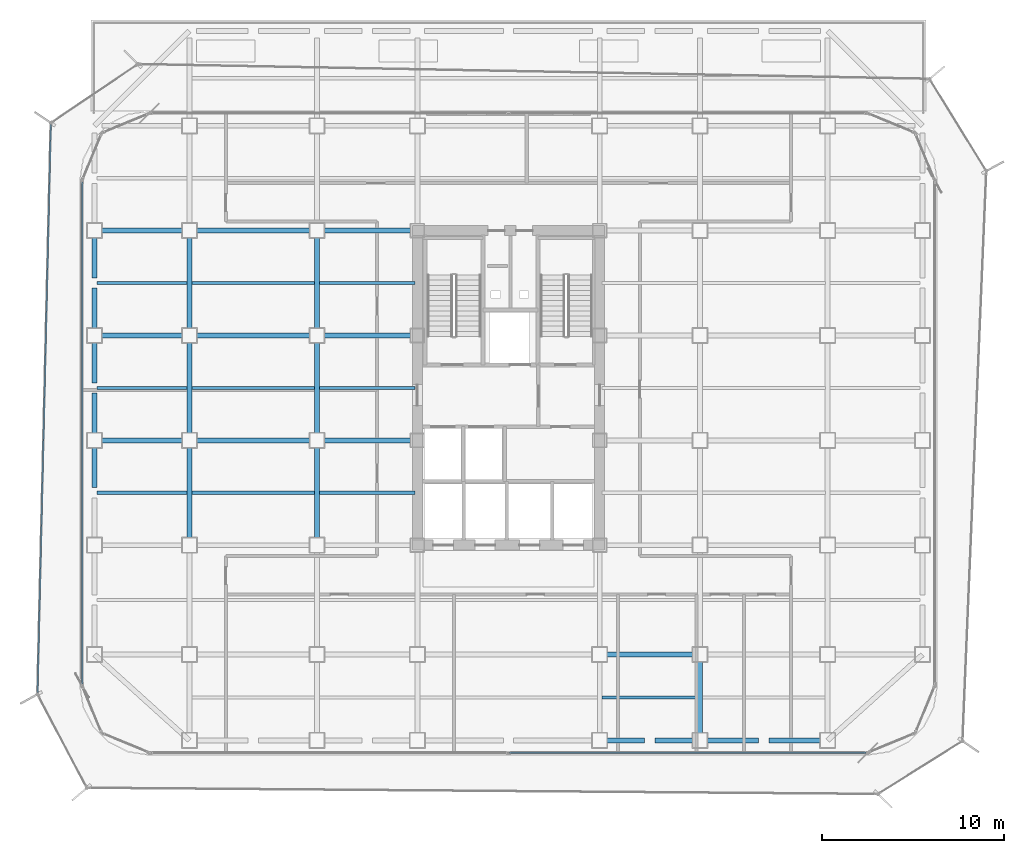
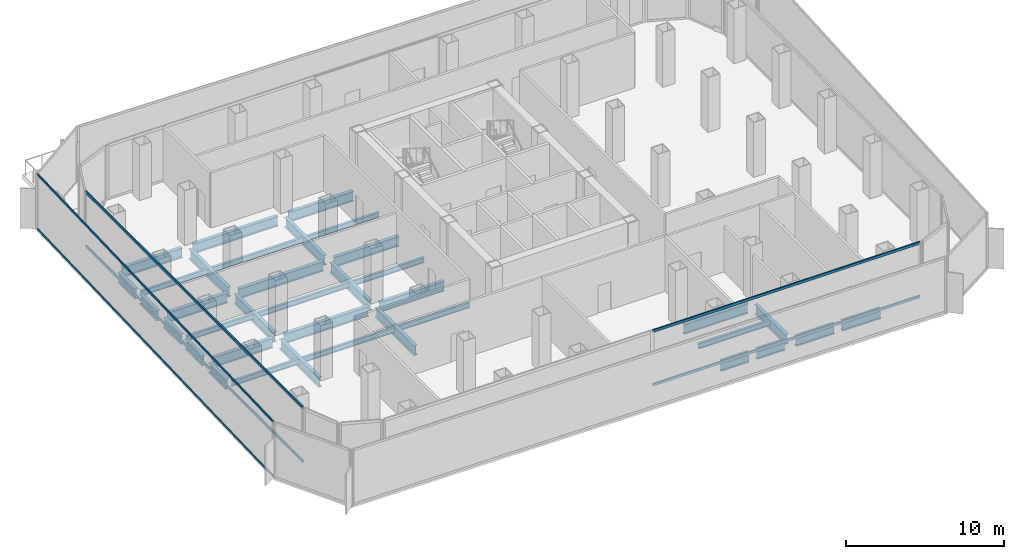
# One storey, part 5 of 21: 36 beams, 6 members, 3 elements without a shape of their own.
"""IFC4 building model written with IfcOpenShell, lengths in metres."""

from ifc_helpers import new_model, si_unit, direction, frame, origin, origin_2d, place, context, subcontext, project, spatial, hollow_rectangle, i_section, extrude, source, transform, mapped, material, layer, layer_set, material_profile, profile_set, type_object, element, aggregate, save


model = new_model("IFC4")

# Units and contexts
model_context = context("Model", 3, precision=1e-05, world=origin(), true_north=direction((0.0, 1.0)))
body_context = subcontext(model_context, "Body", "Model", "MODEL_VIEW")
ifc_project = project(units=[si_unit("LENGTHUNIT", "METRE"), si_unit("AREAUNIT", "SQUARE_METRE"), si_unit("VOLUMEUNIT", "CUBIC_METRE"), si_unit("PLANEANGLEUNIT", "RADIAN"), si_unit("MASSUNIT", "GRAM", prefix="KILO")], contexts=[model_context])

# Site, building, storey
site_placement = place(None, origin())
site = spatial("IfcSite", under=ifc_project, at=site_placement, CompositionType="ELEMENT")
building_placement = place(site_placement, origin())
building = spatial("IfcBuilding", under=site, at=building_placement, Name="Kolveth Station Tower", CompositionType="ELEMENT")
storey_placement = place(building_placement, frame((0.0, 0.0, 88.199951171875)))
storey = spatial("IfcBuildingStorey", under=building, at=storey_placement, Name="L23", CompositionType="ELEMENT", Elevation=88.199951171875)

# Beams
ifc_material_1 = material(Name="Steel S355", Category="steel")
ifc_material_profile_1 = material_profile(ifc_material_1, i_section(OverallWidth=0.26904296875, OverallDepth=0.77490234375, WebThickness=0.01708984375, FlangeThickness=0.0283203125, at=origin_2d()), Name="W760x220")
ifc_profile_set_1 = profile_set([ifc_material_profile_1], Name="Steel S355")
beam_type_1 = type_object("IfcBeamType", Name="Beam_SP1", PredefinedType="SPANDREL", material=ifc_profile_set_1)
shared_shape_1 = source(origin(), body_context, "Body", "SweptSolid", [
    extrude(i_section(OverallWidth=0.26904296875, OverallDepth=0.77490234375, WebThickness=0.01708984375, FlangeThickness=0.0283203125, at=origin_2d()), origin(), (0.0, 0.0, 1.0), 2.820068359375),
])
for number, where, z_axis, x_axis, name in (
    (1, (34.39990234375, 0.800048828125, -0.74755859375), (1.0, 0.0, 0.0), (0.0, 1.0, 0.0), "L23 Perimeter Spandrel BM-L23-PS-9"),
    (2, (37.780029296875, 0.800048828125, -0.74755859375), (1.0, 0.0, 0.0), (0.0, 1.0, 0.0), "L23 Perimeter Spandrel BM-L23-PS-10"),
):
    element("IfcBeam", number, at=place(storey_placement, frame(where, z_axis=z_axis, x_axis=x_axis)), inside=storey, type_object=beam_type_1, Name=name, PredefinedType="SPANDREL", context=body_context, shape_type="MappedRepresentation", body=[
        mapped(shared_shape_1, transform((0.0, 0.0, 0.0), x_axis=(1.0, 0.0, 0.0), y_axis=(0.0, 1.0, 0.0), z_axis=(0.0, 0.0, 1.0), scale=1.0)),
    ])
shared_shape_2 = source(origin(), body_context, "Body", "SweptSolid", [
    extrude(i_section(OverallWidth=0.26904296875, OverallDepth=0.77490234375, WebThickness=0.01708984375, FlangeThickness=0.0283203125, at=origin_2d()), origin(), (0.0, 0.0, 1.0), 2.070068359375),
])
for number, where, z_axis, x_axis, name in (
    (3, (28.89990234375, 0.800048828125, -0.74755859375), (1.0, 0.0, 0.0), (0.0, 1.0, 0.0), "L23 Perimeter Spandrel BM-L23-PS-7"),
    (4, (31.530029296875, 0.800048828125, -0.74755859375), (1.0, 0.0, 0.0), (0.0, 1.0, 0.0), "L23 Perimeter Spandrel BM-L23-PS-8"),
):
    element("IfcBeam", number, at=place(storey_placement, frame(where, z_axis=z_axis, x_axis=x_axis)), inside=storey, type_object=beam_type_1, Name=name, PredefinedType="SPANDREL", context=body_context, shape_type="MappedRepresentation", body=[
        mapped(shared_shape_2, transform((0.0, 0.0, 0.0), x_axis=(1.0, 0.0, 0.0), y_axis=(0.0, 1.0, 0.0), z_axis=(0.0, 0.0, 1.0), scale=1.0)),
    ])
shared_shape_3 = source(origin(), body_context, "Body", "SweptSolid", [
    extrude(i_section(OverallWidth=0.26904296875, OverallDepth=0.77490234375, WebThickness=0.01708984375, FlangeThickness=0.0283203125, at=origin_2d()), origin(), (0.0, 0.0, 1.0), 2.2001953125),
])
for number, where, z_axis, x_axis, name in (
    (5, (0.800048828125, 20.39990234375, -0.74755859375), (0.0, 1.0, 0.0), (-1.0, 0.0, 0.0), "L23 Perimeter Spandrel BM-L23-PW-6"),
    (6, (0.800048828125, 23.39990234375, -0.74755859375), (0.0, 1.0, 0.0), (-1.0, 0.0, 0.0), "L23 Perimeter Spandrel BM-L23-PW-7"),
):
    element("IfcBeam", number, at=place(storey_placement, frame(where, z_axis=z_axis, x_axis=x_axis)), inside=storey, type_object=beam_type_1, Name=name, PredefinedType="SPANDREL", context=body_context, shape_type="MappedRepresentation", body=[
        mapped(shared_shape_3, transform((0.0, 0.0, 0.0), x_axis=(1.0, 0.0, 0.0), y_axis=(0.0, 1.0, 0.0), z_axis=(0.0, 0.0, 1.0), scale=1.0)),
    ])
shared_shape_4 = source(origin(), body_context, "Body", "SweptSolid", [
    extrude(i_section(OverallWidth=0.26904296875, OverallDepth=0.77490234375, WebThickness=0.01708984375, FlangeThickness=0.0283203125, at=origin_2d()), origin(), (0.0, 0.0, 1.0), 2.190185546875),
])
for number, where, z_axis, x_axis, name in (
    (7, (0.800048828125, 14.659912109375, -0.74755859375), (0.0, 1.0, 0.0), (-1.0, 0.0, 0.0), "L23 Perimeter Spandrel BM-L23-PW-4"),
    (8, (0.800048828125, 17.64990234375, -0.74755859375), (0.0, 1.0, 0.0), (-1.0, 0.0, 0.0), "L23 Perimeter Spandrel BM-L23-PW-5"),
    (9, (0.800048828125, 26.159912109375, -0.74755859375), (0.0, 1.0, 0.0), (-1.0, 0.0, 0.0), "L23 Perimeter Spandrel BM-L23-PW-8"),
):
    element("IfcBeam", number, at=place(storey_placement, frame(where, z_axis=z_axis, x_axis=x_axis)), inside=storey, type_object=beam_type_1, Name=name, PredefinedType="SPANDREL", context=body_context, shape_type="MappedRepresentation", body=[
        mapped(shared_shape_4, transform((0.0, 0.0, 0.0), x_axis=(1.0, 0.0, 0.0), y_axis=(0.0, 1.0, 0.0), z_axis=(0.0, 0.0, 1.0), scale=1.0)),
    ])
ifc_material_profile_2 = material_profile(ifc_material_1, i_section(OverallWidth=0.26708984375, OverallDepth=0.76611328125, WebThickness=0.014892578125, FlangeThickness=0.023681640625, at=origin_2d()), Name="W760x185")
ifc_profile_set_2 = profile_set([ifc_material_profile_2], Name="Steel S355")
beam_type_2 = type_object("IfcBeamType", Name="Beam_B3", PredefinedType="BEAM", material=ifc_profile_set_2)
shared_shape_5 = source(origin(), body_context, "Body", "SweptSolid", [
    extrude(i_section(OverallWidth=0.26708984375, OverallDepth=0.76611328125, WebThickness=0.014892578125, FlangeThickness=0.023681640625, at=origin_2d()), origin(), (0.0, 0.0, 1.0), 4.400146484375),
])
for number, where, z_axis, x_axis, name in (
    (10, (1.199951171875, 17.25, -0.742919921875), (1.0, 0.0, 0.0), (0.0, 1.0, 0.0), "L23 Primary Girder BM-L23-GY172-1"),
    (11, (1.199951171875, 23.0, -0.742919921875), (1.0, 0.0, 0.0), (0.0, 1.0, 0.0), "L23 Primary Girder BM-L23-GY230-1"),
    (12, (1.199951171875, 28.75, -0.742919921875), (1.0, 0.0, 0.0), (0.0, 1.0, 0.0), "L23 Primary Girder BM-L23-GY287-1"),
):
    element("IfcBeam", number, at=place(storey_placement, frame(where, z_axis=z_axis, x_axis=x_axis)), inside=storey, type_object=beam_type_2, Name=name, PredefinedType="BEAM", context=body_context, shape_type="MappedRepresentation", body=[
        mapped(shared_shape_5, transform((0.0, 0.0, 0.0), x_axis=(1.0, 0.0, 0.0), y_axis=(0.0, 1.0, 0.0), z_axis=(0.0, 0.0, 1.0), scale=1.0)),
    ])
shared_shape_6 = source(origin(), body_context, "Body", "SweptSolid", [
    extrude(i_section(OverallWidth=0.26708984375, OverallDepth=0.76611328125, WebThickness=0.014892578125, FlangeThickness=0.023681640625, at=origin_2d()), origin(), (0.0, 0.0, 1.0), 6.2001953125),
])
for number, where, z_axis, x_axis, name in (
    (13, (6.39990234375, 17.25, -0.742919921875), (1.0, 0.0, 0.0), (0.0, 1.0, 0.0), "L23 Primary Girder BM-L23-GY172-2"),
    (14, (6.39990234375, 23.0, -0.742919921875), (1.0, 0.0, 0.0), (0.0, 1.0, 0.0), "L23 Primary Girder BM-L23-GY230-2"),
    (15, (6.39990234375, 28.75, -0.742919921875), (1.0, 0.0, 0.0), (0.0, 1.0, 0.0), "L23 Primary Girder BM-L23-GY287-2"),
):
    element("IfcBeam", number, at=place(storey_placement, frame(where, z_axis=z_axis, x_axis=x_axis)), inside=storey, type_object=beam_type_2, Name=name, PredefinedType="BEAM", context=body_context, shape_type="MappedRepresentation", body=[
        mapped(shared_shape_6, transform((0.0, 0.0, 0.0), x_axis=(1.0, 0.0, 0.0), y_axis=(0.0, 1.0, 0.0), z_axis=(0.0, 0.0, 1.0), scale=1.0)),
    ])
shared_shape_7 = source(origin(), body_context, "Body", "SweptSolid", [
    extrude(i_section(OverallWidth=0.26708984375, OverallDepth=0.76611328125, WebThickness=0.014892578125, FlangeThickness=0.023681640625, at=origin_2d()), origin(), (0.0, 0.0, 1.0), 4.7001953125),
])
beam_1_placement = place(storey_placement, frame((28.89990234375, 5.5, -0.742919921875), z_axis=(1.0, 0.0, 0.0), x_axis=(0.0, 1.0, 0.0)))
element("IfcBeam", 16, at=beam_1_placement, inside=storey, type_object=beam_type_2, Name="L23 Primary Girder BM-L23-GY55-5", PredefinedType="BEAM", context=body_context, shape_type="MappedRepresentation", body=[
    mapped(shared_shape_7, transform((0.0, 0.0, 0.0), x_axis=(1.0, 0.0, 0.0), y_axis=(0.0, 1.0, 0.0), z_axis=(0.0, 0.0, 1.0), scale=1.0)),
])
shared_shape_8 = source(origin(), body_context, "Body", "SweptSolid", [
    extrude(i_section(OverallWidth=0.26708984375, OverallDepth=0.76611328125, WebThickness=0.014892578125, FlangeThickness=0.023681640625, at=origin_2d()), origin(), (0.0, 0.0, 1.0), 4.739990234375),
])
for number, where, z_axis, x_axis, name in (
    (17, (13.39990234375, 17.25, -0.742919921875), (1.0, 0.0, 0.0), (0.0, 1.0, 0.0), "L23 Primary Girder BM-L23-GY172-3"),
    (18, (13.39990234375, 23.0, -0.742919921875), (1.0, 0.0, 0.0), (0.0, 1.0, 0.0), "L23 Primary Girder BM-L23-GY230-3"),
    (19, (13.39990234375, 28.75, -0.742919921875), (1.0, 0.0, 0.0), (0.0, 1.0, 0.0), "L23 Primary Girder BM-L23-GY287-3"),
):
    element("IfcBeam", number, at=place(storey_placement, frame(where, z_axis=z_axis, x_axis=x_axis)), inside=storey, type_object=beam_type_2, Name=name, PredefinedType="BEAM", context=body_context, shape_type="MappedRepresentation", body=[
        mapped(shared_shape_8, transform((0.0, 0.0, 0.0), x_axis=(1.0, 0.0, 0.0), y_axis=(0.0, 1.0, 0.0), z_axis=(0.0, 0.0, 1.0), scale=1.0)),
    ])
shared_shape_9 = source(origin(), body_context, "Body", "SweptSolid", [
    extrude(i_section(OverallWidth=0.26708984375, OverallDepth=0.76611328125, WebThickness=0.014892578125, FlangeThickness=0.023681640625, at=origin_2d()), origin(), (0.0, 0.0, 1.0), 3.900146484375),
])
beam_2_placement = place(storey_placement, frame((34.0, 1.199951171875, -0.742919921875), z_axis=(0.0, 1.0, 0.0), x_axis=(-1.0, 0.0, 0.0)))
element("IfcBeam", 20, at=beam_2_placement, inside=storey, type_object=beam_type_2, Name="L23 Primary Girder BM-L23-GX340-1", PredefinedType="BEAM", context=body_context, shape_type="MappedRepresentation", body=[
    mapped(shared_shape_9, transform((0.0, 0.0, 0.0), x_axis=(1.0, 0.0, 0.0), y_axis=(0.0, 1.0, 0.0), z_axis=(0.0, 0.0, 1.0), scale=1.0)),
])
shared_shape_10 = source(origin(), body_context, "Body", "SweptSolid", [
    extrude(i_section(OverallWidth=0.26708984375, OverallDepth=0.76611328125, WebThickness=0.014892578125, FlangeThickness=0.023681640625, at=origin_2d()), origin(), (0.0, 0.0, 1.0), 4.9501953125),
])
for number, where, z_axis, x_axis, name in (
    (21, (6.0, 11.89990234375, -0.742919921875), (0.0, 1.0, 0.0), (-1.0, 0.0, 0.0), "L23 Primary Girder BM-L23-GX60-3"),
    (22, (6.0, 17.64990234375, -0.742919921875), (0.0, 1.0, 0.0), (-1.0, 0.0, 0.0), "L23 Primary Girder BM-L23-GX60-4"),
    (23, (6.0, 23.39990234375, -0.742919921875), (0.0, 1.0, 0.0), (-1.0, 0.0, 0.0), "L23 Primary Girder BM-L23-GX60-5"),
    (24, (13.0, 11.89990234375, -0.742919921875), (0.0, 1.0, 0.0), (-1.0, 0.0, 0.0), "L23 Primary Girder BM-L23-GX130-3"),
    (25, (13.0, 17.64990234375, -0.742919921875), (0.0, 1.0, 0.0), (-1.0, 0.0, 0.0), "L23 Primary Girder BM-L23-GX130-4"),
    (26, (13.0, 23.39990234375, -0.742919921875), (0.0, 1.0, 0.0), (-1.0, 0.0, 0.0), "L23 Primary Girder BM-L23-GX130-5"),
):
    element("IfcBeam", number, at=place(storey_placement, frame(where, z_axis=z_axis, x_axis=x_axis)), inside=storey, type_object=beam_type_2, Name=name, PredefinedType="BEAM", context=body_context, shape_type="MappedRepresentation", body=[
        mapped(shared_shape_10, transform((0.0, 0.0, 0.0), x_axis=(1.0, 0.0, 0.0), y_axis=(0.0, 1.0, 0.0), z_axis=(0.0, 0.0, 1.0), scale=1.0)),
    ])
ifc_material_profile_3 = material_profile(ifc_material_1, i_section(OverallWidth=0.177978515625, OverallDepth=0.406982421875, WebThickness=0.0078125, FlangeThickness=0.0126953125, at=origin_2d()), Name="W410x60")
ifc_profile_set_3 = profile_set([ifc_material_profile_3], Name="Steel S355")
beam_type_3 = type_object("IfcBeamType", Name="Beam_J1", PredefinedType="JOIST", material=ifc_profile_set_3)
shared_shape_11 = source(origin(), body_context, "Body", "SweptSolid", [
    extrude(i_section(OverallWidth=0.177978515625, OverallDepth=0.406982421875, WebThickness=0.0078125, FlangeThickness=0.0126953125, at=origin_2d()), origin(), (0.0, 0.0, 1.0), 4.935791015625),
])
for number, where, z_axis, x_axis, name in (
    (27, (0.9326171875, 14.375, -0.5634765625), (1.0, 0.0, 0.0), (0.0, 1.0, 0.0), "L23 Secondary Joist JST-L23-1-3"),
    (28, (0.9326171875, 20.125, -0.5634765625), (1.0, 0.0, 0.0), (0.0, 1.0, 0.0), "L23 Secondary Joist JST-L23-1-4"),
    (29, (0.9326171875, 25.875, -0.5634765625), (1.0, 0.0, 0.0), (0.0, 1.0, 0.0), "L23 Secondary Joist JST-L23-1-5"),
):
    element("IfcBeam", number, at=place(storey_placement, frame(where, z_axis=z_axis, x_axis=x_axis)), inside=storey, type_object=beam_type_3, Name=name, PredefinedType="JOIST", context=body_context, shape_type="MappedRepresentation", body=[
        mapped(shared_shape_11, transform((0.0, 0.0, 0.0), x_axis=(1.0, 0.0, 0.0), y_axis=(0.0, 1.0, 0.0), z_axis=(0.0, 0.0, 1.0), scale=1.0)),
    ])
shared_shape_12 = source(origin(), body_context, "Body", "SweptSolid", [
    extrude(i_section(OverallWidth=0.177978515625, OverallDepth=0.406982421875, WebThickness=0.0078125, FlangeThickness=0.0126953125, at=origin_2d()), origin(), (0.0, 0.0, 1.0), 6.73681640625),
])
for number, where, z_axis, x_axis, name in (
    (30, (6.131591796875, 14.375, -0.5634765625), (1.0, 0.0, 0.0), (0.0, 1.0, 0.0), "L23 Secondary Joist JST-L23-2-3"),
    (31, (6.131591796875, 20.125, -0.5634765625), (1.0, 0.0, 0.0), (0.0, 1.0, 0.0), "L23 Secondary Joist JST-L23-2-4"),
    (32, (6.131591796875, 25.875, -0.5634765625), (1.0, 0.0, 0.0), (0.0, 1.0, 0.0), "L23 Secondary Joist JST-L23-2-5"),
):
    element("IfcBeam", number, at=place(storey_placement, frame(where, z_axis=z_axis, x_axis=x_axis)), inside=storey, type_object=beam_type_3, Name=name, PredefinedType="JOIST", context=body_context, shape_type="MappedRepresentation", body=[
        mapped(shared_shape_12, transform((0.0, 0.0, 0.0), x_axis=(1.0, 0.0, 0.0), y_axis=(0.0, 1.0, 0.0), z_axis=(0.0, 0.0, 1.0), scale=1.0)),
    ])
shared_shape_13 = source(origin(), body_context, "Body", "SweptSolid", [
    extrude(i_section(OverallWidth=0.177978515625, OverallDepth=0.406982421875, WebThickness=0.0078125, FlangeThickness=0.0126953125, at=origin_2d()), origin(), (0.0, 0.0, 1.0), 5.23681640625),
])
for number, where, z_axis, x_axis, name in (
    (33, (13.131591796875, 14.375, -0.5634765625), (1.0, 0.0, 0.0), (0.0, 1.0, 0.0), "L23 Secondary Joist JST-L23-3-3"),
    (34, (13.131591796875, 20.125, -0.5634765625), (1.0, 0.0, 0.0), (0.0, 1.0, 0.0), "L23 Secondary Joist JST-L23-3-4"),
    (35, (13.131591796875, 25.875, -0.5634765625), (1.0, 0.0, 0.0), (0.0, 1.0, 0.0), "L23 Secondary Joist JST-L23-3-5"),
    (36, (28.631591796875, 3.14990234375, -0.5634765625), (1.0, 0.0, 0.0), (0.0, 1.0, 0.0), "L23 Secondary Joist JST-L23-5-1"),
):
    element("IfcBeam", number, at=place(storey_placement, frame(where, z_axis=z_axis, x_axis=x_axis)), inside=storey, type_object=beam_type_3, Name=name, PredefinedType="JOIST", context=body_context, shape_type="MappedRepresentation", body=[
        mapped(shared_shape_13, transform((0.0, 0.0, 0.0), x_axis=(1.0, 0.0, 0.0), y_axis=(0.0, 1.0, 0.0), z_axis=(0.0, 0.0, 1.0), scale=1.0)),
    ])

# Curtain wall, members
ifc_material_2 = material(Name="Aluminium 6063-T6 and acoustic laminated dark glass", Category="aluminium")
ifc_layer_1 = layer(ifc_material_2, 0.219970703125)
ifc_layer_set_1 = layer_set([ifc_layer_1], Name="Aluminium 6063-T6 and acoustic laminated dark glass")
curtain_wall_type_1 = type_object("IfcCurtainWallType", Name="CurtainWall_CW-SL", PredefinedType="NOTDEFINED", material=ifc_layer_set_1)
curtain_wall_1_placement = place(storey_placement, origin())
curtain_wall_1 = element("IfcCurtainWall", 37, at=curtain_wall_1_placement, inside=storey, type_object=curtain_wall_type_1, Name="L23 Inner Thermal Curtain Wall 9", PredefinedType="NOTDEFINED")
ifc_material_3 = material(Name="Black anodized aluminium 6063-T6", Category="aluminium")
ifc_material_profile_4 = material_profile(ifc_material_3, hollow_rectangle(XDim=0.090087890625, YDim=0.199951171875, WallThickness=0.0048828125, at=origin_2d()), Name="ALU-90x200x5")
ifc_profile_set_4 = profile_set([ifc_material_profile_4], Name="Black anodized aluminium 6063-T6")
member_type_1 = type_object("IfcMemberType", Name="Transom_TR-SL", PredefinedType="USERDEFINED", material=ifc_profile_set_4)
shared_shape_14 = source(origin(), body_context, "Body", "SweptSolid", [
    extrude(hollow_rectangle(XDim=0.090087890625, YDim=0.199951171875, WallThickness=0.0048828125, at=origin_2d()), origin(), (0.0, 0.0, 1.0), 27.510009765625),
])
member_1_placement = place(storey_placement, frame((0.1201171875, 31.405029296875, 0.045166015625), z_axis=(0.0, -1.0, 0.0), x_axis=(1.0, 0.0, 0.0)))
member_1 = element("IfcMember", 38, at=member_1_placement, type_object=member_type_1, Name="CW-SL transom 1.1", ObjectType="TRANSOM", PredefinedType="USERDEFINED", context=body_context, shape_type="MappedRepresentation", body=[
    mapped(shared_shape_14, transform((0.0, 0.0, 0.0), x_axis=(1.0, 0.0, 0.0), y_axis=(0.0, 1.0, 0.0), z_axis=(0.0, 0.0, 1.0), scale=1.0)),
])
member_2_placement = place(storey_placement, frame((0.1201171875, 31.405029296875, 4.205078125), z_axis=(0.0, -1.0, 0.0), x_axis=(1.0, 0.0, 0.0)))
member_2 = element("IfcMember", 39, at=member_2_placement, type_object=member_type_1, Name="CW-SL transom 1.2", ObjectType="TRANSOM", PredefinedType="USERDEFINED", context=body_context, shape_type="MappedRepresentation", body=[
    mapped(shared_shape_14, transform((0.0, 0.0, 0.0), x_axis=(1.0, 0.0, 0.0), y_axis=(0.0, 1.0, 0.0), z_axis=(0.0, 0.0, 1.0), scale=1.0)),
])
aggregate(curtain_wall_1, [member_1, member_2])

curtain_wall_2_placement = place(storey_placement, origin())
curtain_wall_2 = element("IfcCurtainWall", 40, at=curtain_wall_2_placement, inside=storey, type_object=curtain_wall_type_1, Name="L23 Inner Thermal Curtain Wall 12", PredefinedType="NOTDEFINED")
shared_shape_15 = source(origin(), body_context, "Body", "SweptSolid", [
    extrude(hollow_rectangle(XDim=0.090087890625, YDim=0.199951171875, WallThickness=0.0048828125, at=origin_2d()), origin(), (0.0, 0.0, 1.0), 19.557373046875),
])
member_3_placement = place(storey_placement, frame((23.547607421875, 0.1201171875, 0.045166015625), z_axis=(1.0, 0.0, 0.0), x_axis=(0.0, 1.0, 0.0)))
member_3 = element("IfcMember", 41, at=member_3_placement, type_object=member_type_1, Name="CW-SL transom 2.1", ObjectType="TRANSOM", PredefinedType="USERDEFINED", context=body_context, shape_type="MappedRepresentation", body=[
    mapped(shared_shape_15, transform((0.0, 0.0, 0.0), x_axis=(1.0, 0.0, 0.0), y_axis=(0.0, 1.0, 0.0), z_axis=(0.0, 0.0, 1.0), scale=1.0)),
])
member_4_placement = place(storey_placement, frame((23.547607421875, 0.1201171875, 4.205078125), z_axis=(1.0, 0.0, 0.0), x_axis=(0.0, 1.0, 0.0)))
member_4 = element("IfcMember", 42, at=member_4_placement, type_object=member_type_1, Name="CW-SL transom 2.2", ObjectType="TRANSOM", PredefinedType="USERDEFINED", context=body_context, shape_type="MappedRepresentation", body=[
    mapped(shared_shape_15, transform((0.0, 0.0, 0.0), x_axis=(1.0, 0.0, 0.0), y_axis=(0.0, 1.0, 0.0), z_axis=(0.0, 0.0, 1.0), scale=1.0)),
])
aggregate(curtain_wall_2, [member_3, member_4])

ifc_material_4 = material(Name="Black anodized aluminium 6063-T6 and dark solar glass", Category="aluminium")
ifc_layer_2 = layer(ifc_material_4, 0.159912109375)
ifc_layer_set_2 = layer_set([ifc_layer_2], Name="Black anodized aluminium 6063-T6 and dark solar glass")
curtain_wall_type_2 = type_object("IfcCurtainWallType", Name="OUTER SKIN CW-OS", PredefinedType="NOTDEFINED", material=ifc_layer_set_2)
curtain_wall_3_placement = place(storey_placement, origin())
curtain_wall_3 = element("IfcCurtainWall", 43, at=curtain_wall_3_placement, inside=storey, type_object=curtain_wall_type_2, Name="L23 Outer Ventilated Skin Curtain Wall 6", PredefinedType="NOTDEFINED")
ifc_material_profile_5 = material_profile(ifc_material_3, hollow_rectangle(XDim=0.080078125, YDim=0.14990234375, WallThickness=0.0048828125, at=origin_2d()), Name="ALU-80x150x5")
ifc_profile_set_5 = profile_set([ifc_material_profile_5], Name="Black anodized aluminium 6063-T6")
member_type_2 = type_object("IfcMemberType", Name="Transom_TR-OS", PredefinedType="USERDEFINED", material=ifc_profile_set_5)
shared_shape_16 = source(origin(), body_context, "Body", "SweptSolid", [
    extrude(hollow_rectangle(XDim=0.080078125, YDim=0.14990234375, WallThickness=0.0048828125, at=origin_2d()), origin(), (0.0, 0.0, 1.0), 31.151611328125),
])
member_5_placement = place(storey_placement, frame((-1.59423828125, 34.560546875, 0.0400390625), z_axis=(-0.023393981556, -0.999726323364, 0.0), x_axis=(0.999726323364, -0.023393981556, 0.0)))
member_5 = element("IfcMember", 44, at=member_5_placement, type_object=member_type_2, Name="CW-OS transom 1.1", ObjectType="TRANSOM", PredefinedType="USERDEFINED", context=body_context, shape_type="MappedRepresentation", body=[
    mapped(shared_shape_16, transform((0.0, 0.0, 0.0), x_axis=(1.0, 0.0, 0.0), y_axis=(0.0, 1.0, 0.0), z_axis=(0.0, 0.0, 1.0), scale=1.0)),
])
member_6_placement = place(storey_placement, frame((-1.59423828125, 34.560546875, 4.25), z_axis=(-0.023393981556, -0.999726323364, 0.0), x_axis=(0.999726323364, -0.023393981556, 0.0)))
member_6 = element("IfcMember", 45, at=member_6_placement, type_object=member_type_2, Name="CW-OS transom 1.2", ObjectType="TRANSOM", PredefinedType="USERDEFINED", context=body_context, shape_type="MappedRepresentation", body=[
    mapped(shared_shape_16, transform((0.0, 0.0, 0.0), x_axis=(1.0, 0.0, 0.0), y_axis=(0.0, 1.0, 0.0), z_axis=(0.0, 0.0, 1.0), scale=1.0)),
])
aggregate(curtain_wall_3, [member_5, member_6])

save(model, "model.ifc")
